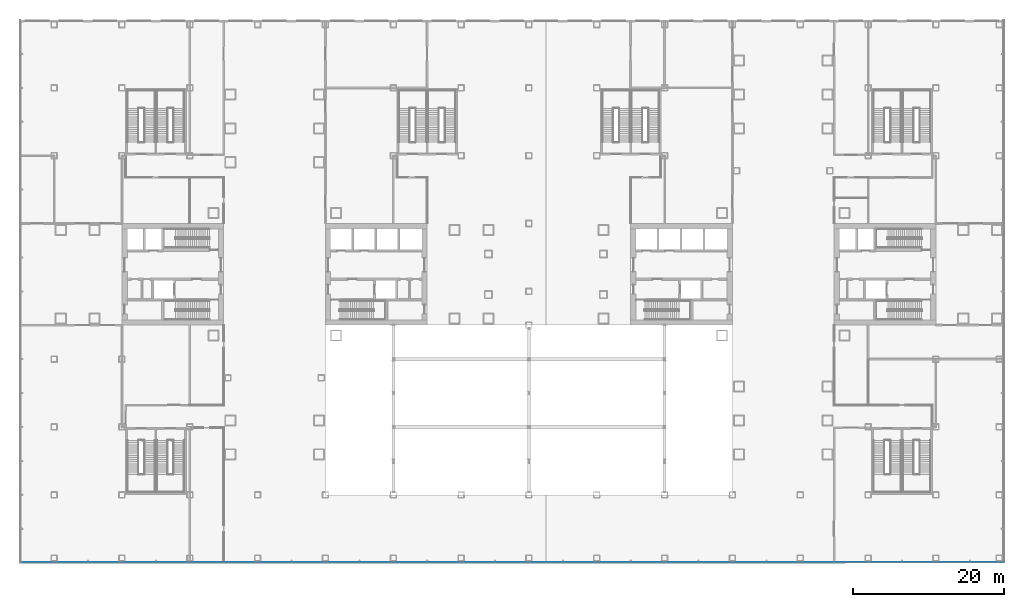
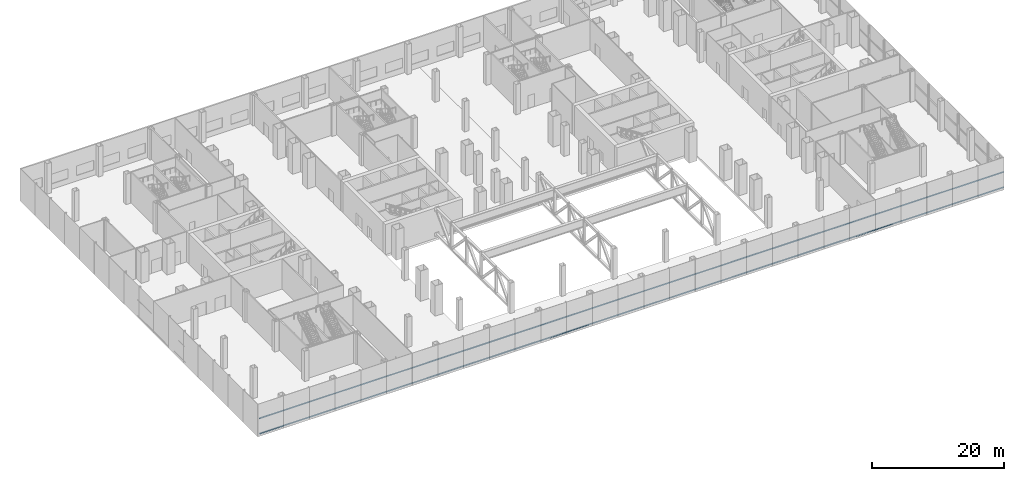
# One storey, part 9 of 33: 2 members, 1 element without a shape of its own.
"""IFC4 building model written with IfcOpenShell, lengths in metres."""

from ifc_helpers import new_model, si_unit, direction, frame, origin, origin_2d, place, context, subcontext, project, spatial, rectangle, extrude, material, layer, layer_set, material_profile, profile_set, type_object, element, aggregate, save


model = new_model("IFC4")

# Units and contexts
model_context = context("Model", 3, precision=1e-05, world=origin(), true_north=direction((0.0, 1.0)))
body_context = subcontext(model_context, "Body", "Model", "MODEL_VIEW")
ifc_project = project(units=[si_unit("LENGTHUNIT", "METRE"), si_unit("AREAUNIT", "SQUARE_METRE"), si_unit("VOLUMEUNIT", "CUBIC_METRE"), si_unit("PLANEANGLEUNIT", "RADIAN"), si_unit("MASSUNIT", "GRAM", prefix="KILO")], contexts=[model_context])

# Site, building, storey
site_placement = place(None, origin())
site = spatial("IfcSite", under=ifc_project, at=site_placement, CompositionType="ELEMENT")
building_placement = place(site_placement, origin())
building = spatial("IfcBuilding", under=site, at=building_placement, Name="Shamsa Quay Exchange Towers", CompositionType="ELEMENT")
storey_placement = place(building_placement, frame((0.0, 0.0, 6.5)))
storey = spatial("IfcBuildingStorey", under=building, at=storey_placement, Name="L01", CompositionType="ELEMENT", Elevation=6.5)

# Curtain wall, members
ifc_material = material(Name="Aluminium EN AW-6063 T6, black anodised", Category="aluminium")
ifc_layer = layer(ifc_material, 0.33203125)
ifc_layer_set = layer_set([ifc_layer], Name="CW-3 PODIUM SHOPFRONT GLAZING")
curtain_wall_type = type_object("IfcCurtainWallType", Name="CW-3 PODIUM SHOPFRONT GLAZING", PredefinedType="NOTDEFINED", material=ifc_layer_set)
curtain_wall_placement = place(storey_placement, origin())
curtain_wall = element("IfcCurtainWall", 1, at=curtain_wall_placement, inside=storey, type_object=curtain_wall_type, Name="CW3 PODIUM-L01-F03", PredefinedType="NOTDEFINED")
ifc_material_profile = material_profile(ifc_material, rectangle(XDim=0.080078125, YDim=0.159912109375, at=origin_2d()), Name="TR160x80")
ifc_profile_set = profile_set([ifc_material_profile], Name="Aluminium EN AW-6063 T6, black anodised")
member_type = type_object("IfcMemberType", Name="CW3 TRANSOM 160x80", PredefinedType="USERDEFINED", material=ifc_profile_set)
member_1_placement = place(storey_placement, frame((-67.197998046875, -38.2099609375, 0.080078125), z_axis=(1.0, 0.0, 0.0), x_axis=(0.0, 1.0, 0.0)))
member_1 = element("IfcMember", 2, at=member_1_placement, type_object=member_type, Name="CW3 transom", ObjectType="TRANSOM", PredefinedType="USERDEFINED", context=body_context, shape_type="SweptSolid", body=[
    extrude(rectangle(XDim=0.080078125, YDim=0.159912109375, at=origin_2d()), origin(), (0.0, 0.0, 1.0), 130.197998046875),
])
member_2_placement = place(storey_placement, frame((-67.197998046875, -38.2099609375, 2.905029296875), z_axis=(1.0, 0.0, 0.0), x_axis=(0.0, 1.0, 0.0)))
member_2 = element("IfcMember", 3, at=member_2_placement, type_object=member_type, Name="CW3 transom", ObjectType="TRANSOM", PredefinedType="USERDEFINED", context=body_context, shape_type="SweptSolid", body=[
    extrude(rectangle(XDim=0.080078125, YDim=0.159912109375, at=origin_2d()), origin(), (0.0, 0.0, 1.0), 130.197998046875),
])
aggregate(curtain_wall, [member_1, member_2])

save(model, "model.ifc")
